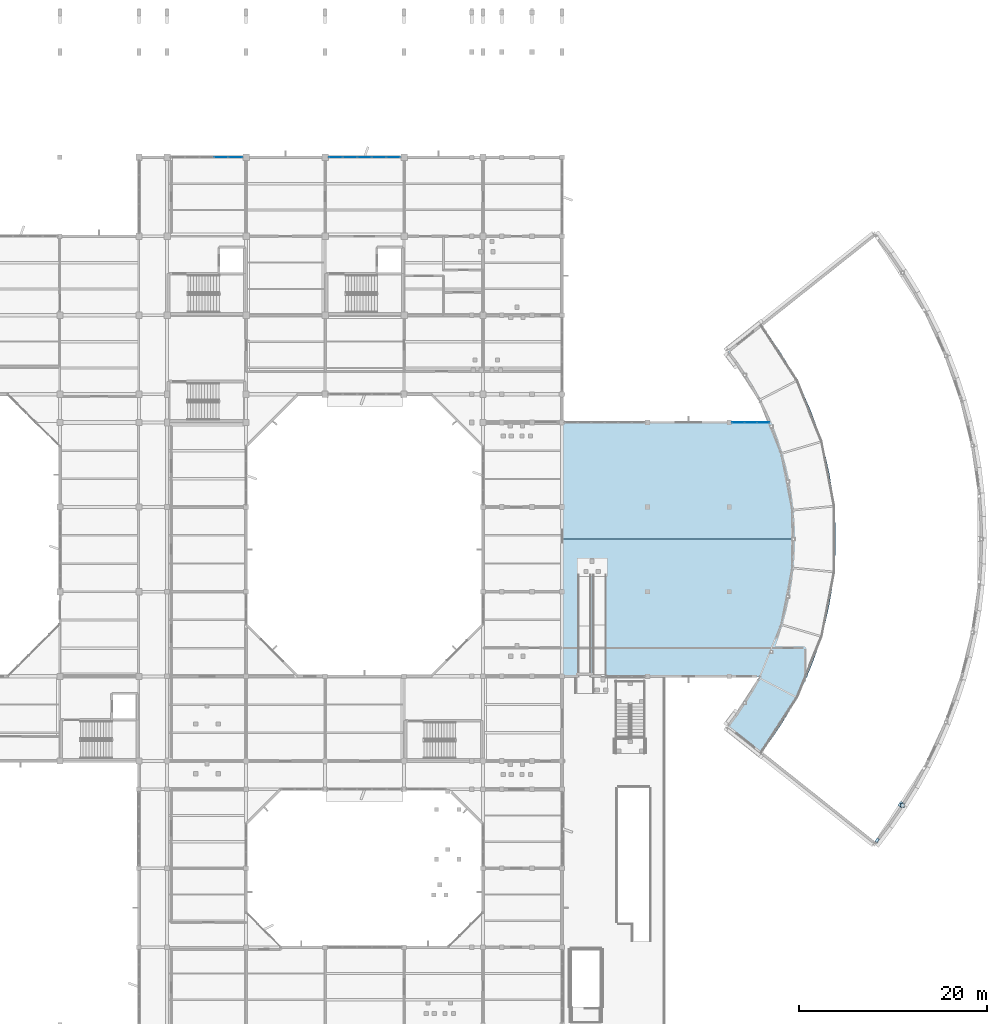
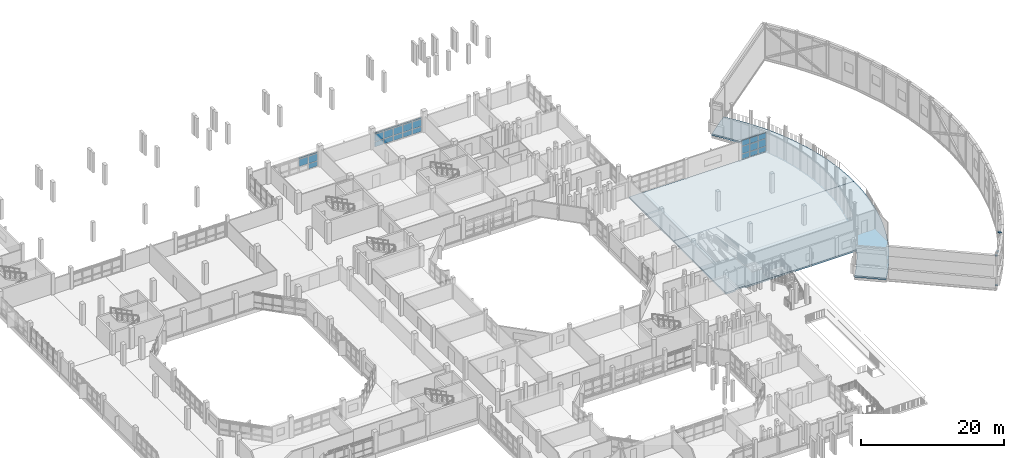
# One storey, part 63 of 104: 33 plates, 2 slabs, 3 elements without a shape of their own.
"""IFC4 building model written with IfcOpenShell, lengths in metres."""

from ifc_helpers import new_model, si_unit, direction, frame, origin, origin_2d, place, context, subcontext, project, spatial, polyline, rectangle, outline, extrude, material, layer, layer_set, type_object, element, aggregate, save


model = new_model("IFC4")

# Units and contexts
model_context = context("Model", 3, precision=1e-05, world=origin(), true_north=direction((0.0, 1.0)))
body_context = subcontext(model_context, "Body", "Model", "MODEL_VIEW")
ifc_project = project(units=[si_unit("LENGTHUNIT", "METRE"), si_unit("AREAUNIT", "SQUARE_METRE"), si_unit("VOLUMEUNIT", "CUBIC_METRE"), si_unit("PLANEANGLEUNIT", "RADIAN"), si_unit("MASSUNIT", "GRAM", prefix="KILO")], contexts=[model_context])

# Site, building, storey
site_placement = place(None, origin())
site = spatial("IfcSite", under=ifc_project, at=site_placement, CompositionType="ELEMENT")
building_placement = place(site_placement, origin())
building = spatial("IfcBuilding", under=site, at=building_placement, Name="Vanh Quang Courtyard School", CompositionType="ELEMENT")
storey_placement = place(building_placement, frame((0.0, 0.0, 4.199951171875)))
storey = spatial("IfcBuildingStorey", under=building, at=storey_placement, Name="L01", CompositionType="ELEMENT", Elevation=4.199951171875)

# Curtain wall, plates
ifc_material_1 = material(Name="Thermally broken aluminium unitised curtain wall", Category="aluminium")
curtain_wall_type_1 = type_object("IfcCurtainWallType", Name="CW-SYS-21", PredefinedType="NOTDEFINED", material=ifc_material_1)
curtain_wall_1_placement = place(storey_placement, origin())
curtain_wall_1 = element("IfcCurtainWall", 1, at=curtain_wall_1_placement, inside=storey, type_object=curtain_wall_type_1, Name="Curtain Wall CW-21 (L01)", PredefinedType="NOTDEFINED")
ifc_material_2 = material(Name="Low-E laminated double glazing", Category="glass")
ifc_layer_1 = layer(ifc_material_2, 0.028076171875)
ifc_layer_set_1 = layer_set([ifc_layer_1], Name="Low-E laminated double glazing")
plate_type_1 = type_object("IfcPlateType", Name="CW-PNL-28", PredefinedType="CURTAIN_PANEL", material=ifc_layer_set_1)
plate_1_placement = place(storey_placement, frame((83.13671875, 96.60009765625, 0.985107421875), z_axis=(0.0, 0.0, 1.0), x_axis=(1.0, 0.0, 0.0)))
plate_1 = element("IfcPlate", 2, at=plate_1_placement, type_object=plate_type_1, Name="CW-21 panel 4.2", PredefinedType="CURTAIN_PANEL", context=body_context, shape_type="SweptSolid", body=[
    extrude(rectangle(XDim=1.466796875, YDim=0.028076171875, at=origin_2d()), origin(), (0.0, 0.0, 1.0), 1.22998046875),
])
plate_2_placement = place(storey_placement, frame((83.13671875, 96.60009765625, 2.28515625), z_axis=(0.0, 0.0, 1.0), x_axis=(1.0, 0.0, 0.0)))
plate_2 = element("IfcPlate", 3, at=plate_2_placement, type_object=plate_type_1, Name="CW-21 panel 4.3", PredefinedType="CURTAIN_PANEL", context=body_context, shape_type="SweptSolid", body=[
    extrude(rectangle(XDim=1.466796875, YDim=0.028076171875, at=origin_2d()), origin(), (0.0, 0.0, 1.0), 0.215087890625),
])
plate_3_placement = place(storey_placement, frame((84.656005859375, 96.60009765625, 0.06982421875), z_axis=(0.0, 0.0, 1.0), x_axis=(1.0, 0.0, 0.0)))
plate_3 = element("IfcPlate", 4, at=plate_3_placement, type_object=plate_type_1, Name="CW-21 panel 5.1", PredefinedType="CURTAIN_PANEL", context=body_context, shape_type="SweptSolid", body=[
    extrude(rectangle(XDim=1.431884765625, YDim=0.028076171875, at=origin_2d()), origin(), (0.0, 0.0, 1.0), 0.844970703125),
])
plate_4_placement = place(storey_placement, frame((84.656005859375, 96.60009765625, 0.985107421875), z_axis=(0.0, 0.0, 1.0), x_axis=(1.0, 0.0, 0.0)))
plate_4 = element("IfcPlate", 5, at=plate_4_placement, type_object=plate_type_1, Name="CW-21 panel 5.2", PredefinedType="CURTAIN_PANEL", context=body_context, shape_type="SweptSolid", body=[
    extrude(rectangle(XDim=1.431884765625, YDim=0.028076171875, at=origin_2d()), origin(), (0.0, 0.0, 1.0), 1.22998046875),
])
plate_5_placement = place(storey_placement, frame((84.656005859375, 96.60009765625, 2.28515625), z_axis=(0.0, 0.0, 1.0), x_axis=(1.0, 0.0, 0.0)))
plate_5 = element("IfcPlate", 6, at=plate_5_placement, type_object=plate_type_1, Name="CW-21 panel 5.3", PredefinedType="CURTAIN_PANEL", context=body_context, shape_type="SweptSolid", body=[
    extrude(rectangle(XDim=1.431884765625, YDim=0.028076171875, at=origin_2d()), origin(), (0.0, 0.0, 1.0), 0.215087890625),
])
aggregate(curtain_wall_1, [plate_1, plate_2, plate_3, plate_4, plate_5])

curtain_wall_2_placement = place(storey_placement, origin())
curtain_wall_2 = element("IfcCurtainWall", 7, at=curtain_wall_2_placement, inside=storey, type_object=curtain_wall_type_1, Name="Curtain Wall CW-21 (L01)", PredefinedType="NOTDEFINED")
ifc_layer_2 = layer(ifc_material_2, 0.031982421875)
ifc_layer_set_2 = layer_set([ifc_layer_2], Name="Low-E laminated double glazing")
plate_type_2 = type_object("IfcPlateType", Name="CW-PNL-32", PredefinedType="CURTAIN_PANEL", material=ifc_layer_set_2)
plate_6_placement = place(storey_placement, frame((95.346435546875, 96.60009765625, 0.080078125), z_axis=(0.0, 0.0, 1.0), x_axis=(1.0, 0.0, 0.0)))
plate_6 = element("IfcPlate", 8, at=plate_6_placement, type_object=plate_type_2, Name="CW-21 panel 1.1", PredefinedType="CURTAIN_PANEL", context=body_context, shape_type="SweptSolid", body=[
    extrude(rectangle(XDim=1.416748046875, YDim=0.031982421875, at=origin_2d()), origin(), (0.0, 0.0, 1.0), 0.830078125),
])
plate_7_placement = place(storey_placement, frame((95.346435546875, 96.60009765625, 0.990234375), z_axis=(0.0, 0.0, 1.0), x_axis=(1.0, 0.0, 0.0)))
plate_7 = element("IfcPlate", 9, at=plate_7_placement, type_object=plate_type_2, Name="CW-21 panel 1.2", PredefinedType="CURTAIN_PANEL", context=body_context, shape_type="SweptSolid", body=[
    extrude(rectangle(XDim=1.416748046875, YDim=0.031982421875, at=origin_2d()), origin(), (0.0, 0.0, 1.0), 1.219970703125),
])
plate_8_placement = place(storey_placement, frame((95.346435546875, 96.60009765625, 2.2900390625), z_axis=(0.0, 0.0, 1.0), x_axis=(1.0, 0.0, 0.0)))
plate_8 = element("IfcPlate", 10, at=plate_8_placement, type_object=plate_type_2, Name="CW-21 panel 1.3", PredefinedType="CURTAIN_PANEL", context=body_context, shape_type="SweptSolid", body=[
    extrude(rectangle(XDim=1.416748046875, YDim=0.031982421875, at=origin_2d()), origin(), (0.0, 0.0, 1.0), 0.199951171875),
])
plate_9_placement = place(storey_placement, frame((96.86328125, 96.60009765625, 0.080078125), z_axis=(0.0, 0.0, 1.0), x_axis=(1.0, 0.0, 0.0)))
plate_9 = element("IfcPlate", 11, at=plate_9_placement, type_object=plate_type_2, Name="CW-21 panel 2.1", PredefinedType="CURTAIN_PANEL", context=body_context, shape_type="SweptSolid", body=[
    extrude(rectangle(XDim=1.456787109375, YDim=0.031982421875, at=origin_2d()), origin(), (0.0, 0.0, 1.0), 0.830078125),
])
plate_10_placement = place(storey_placement, frame((96.86328125, 96.60009765625, 0.990234375), z_axis=(0.0, 0.0, 1.0), x_axis=(1.0, 0.0, 0.0)))
plate_10 = element("IfcPlate", 12, at=plate_10_placement, type_object=plate_type_2, Name="CW-21 panel 2.2", PredefinedType="CURTAIN_PANEL", context=body_context, shape_type="SweptSolid", body=[
    extrude(rectangle(XDim=1.456787109375, YDim=0.031982421875, at=origin_2d()), origin(), (0.0, 0.0, 1.0), 1.219970703125),
])
plate_11_placement = place(storey_placement, frame((96.86328125, 96.60009765625, 2.2900390625), z_axis=(0.0, 0.0, 1.0), x_axis=(1.0, 0.0, 0.0)))
plate_11 = element("IfcPlate", 13, at=plate_11_placement, type_object=plate_type_2, Name="CW-21 panel 2.3", PredefinedType="CURTAIN_PANEL", context=body_context, shape_type="SweptSolid", body=[
    extrude(rectangle(XDim=1.456787109375, YDim=0.031982421875, at=origin_2d()), origin(), (0.0, 0.0, 1.0), 0.199951171875),
])
plate_12_placement = place(storey_placement, frame((98.39990234375, 96.60009765625, 0.080078125), z_axis=(0.0, 0.0, 1.0), x_axis=(1.0, 0.0, 0.0)))
plate_12 = element("IfcPlate", 14, at=plate_12_placement, type_object=plate_type_2, Name="CW-21 panel 3.1", PredefinedType="CURTAIN_PANEL", context=body_context, shape_type="SweptSolid", body=[
    extrude(rectangle(XDim=1.456787109375, YDim=0.031982421875, at=origin_2d()), origin(), (0.0, 0.0, 1.0), 0.830078125),
])
plate_13_placement = place(storey_placement, frame((98.39990234375, 96.60009765625, 0.990234375), z_axis=(0.0, 0.0, 1.0), x_axis=(1.0, 0.0, 0.0)))
plate_13 = element("IfcPlate", 15, at=plate_13_placement, type_object=plate_type_2, Name="CW-21 panel 3.2", PredefinedType="CURTAIN_PANEL", context=body_context, shape_type="SweptSolid", body=[
    extrude(rectangle(XDim=1.456787109375, YDim=0.031982421875, at=origin_2d()), origin(), (0.0, 0.0, 1.0), 1.219970703125),
])
plate_14_placement = place(storey_placement, frame((98.39990234375, 96.60009765625, 2.2900390625), z_axis=(0.0, 0.0, 1.0), x_axis=(1.0, 0.0, 0.0)))
plate_14 = element("IfcPlate", 16, at=plate_14_placement, type_object=plate_type_2, Name="CW-21 panel 3.3", PredefinedType="CURTAIN_PANEL", context=body_context, shape_type="SweptSolid", body=[
    extrude(rectangle(XDim=1.456787109375, YDim=0.031982421875, at=origin_2d()), origin(), (0.0, 0.0, 1.0), 0.199951171875),
])
plate_15_placement = place(storey_placement, frame((99.936767578125, 96.60009765625, 0.080078125), z_axis=(0.0, 0.0, 1.0), x_axis=(1.0, 0.0, 0.0)))
plate_15 = element("IfcPlate", 17, at=plate_15_placement, type_object=plate_type_2, Name="CW-21 panel 4.1", PredefinedType="CURTAIN_PANEL", context=body_context, shape_type="SweptSolid", body=[
    extrude(rectangle(XDim=1.456787109375, YDim=0.031982421875, at=origin_2d()), origin(), (0.0, 0.0, 1.0), 0.830078125),
])
plate_16_placement = place(storey_placement, frame((99.936767578125, 96.60009765625, 0.990234375), z_axis=(0.0, 0.0, 1.0), x_axis=(1.0, 0.0, 0.0)))
plate_16 = element("IfcPlate", 18, at=plate_16_placement, type_object=plate_type_2, Name="CW-21 panel 4.2", PredefinedType="CURTAIN_PANEL", context=body_context, shape_type="SweptSolid", body=[
    extrude(rectangle(XDim=1.456787109375, YDim=0.031982421875, at=origin_2d()), origin(), (0.0, 0.0, 1.0), 1.219970703125),
])
plate_17_placement = place(storey_placement, frame((99.936767578125, 96.60009765625, 2.2900390625), z_axis=(0.0, 0.0, 1.0), x_axis=(1.0, 0.0, 0.0)))
plate_17 = element("IfcPlate", 19, at=plate_17_placement, type_object=plate_type_2, Name="CW-21 panel 4.3", PredefinedType="CURTAIN_PANEL", context=body_context, shape_type="SweptSolid", body=[
    extrude(rectangle(XDim=1.456787109375, YDim=0.031982421875, at=origin_2d()), origin(), (0.0, 0.0, 1.0), 0.199951171875),
])
plate_18_placement = place(storey_placement, frame((101.45361328125, 96.60009765625, 0.080078125), z_axis=(0.0, 0.0, 1.0), x_axis=(1.0, 0.0, 0.0)))
plate_18 = element("IfcPlate", 20, at=plate_18_placement, type_object=plate_type_2, Name="CW-21 panel 5.1", PredefinedType="CURTAIN_PANEL", context=body_context, shape_type="SweptSolid", body=[
    extrude(rectangle(XDim=1.416748046875, YDim=0.031982421875, at=origin_2d()), origin(), (0.0, 0.0, 1.0), 0.830078125),
])
plate_19_placement = place(storey_placement, frame((101.45361328125, 96.60009765625, 0.990234375), z_axis=(0.0, 0.0, 1.0), x_axis=(1.0, 0.0, 0.0)))
plate_19 = element("IfcPlate", 21, at=plate_19_placement, type_object=plate_type_2, Name="CW-21 panel 5.2", PredefinedType="CURTAIN_PANEL", context=body_context, shape_type="SweptSolid", body=[
    extrude(rectangle(XDim=1.416748046875, YDim=0.031982421875, at=origin_2d()), origin(), (0.0, 0.0, 1.0), 1.219970703125),
])
plate_20_placement = place(storey_placement, frame((101.45361328125, 96.60009765625, 2.2900390625), z_axis=(0.0, 0.0, 1.0), x_axis=(1.0, 0.0, 0.0)))
plate_20 = element("IfcPlate", 22, at=plate_20_placement, type_object=plate_type_2, Name="CW-21 panel 5.3", PredefinedType="CURTAIN_PANEL", context=body_context, shape_type="SweptSolid", body=[
    extrude(rectangle(XDim=1.416748046875, YDim=0.031982421875, at=origin_2d()), origin(), (0.0, 0.0, 1.0), 0.199951171875),
])
aggregate(curtain_wall_2, [plate_6, plate_7, plate_8, plate_9, plate_10, plate_11, plate_12, plate_13, plate_14, plate_15, plate_16, plate_17, plate_18, plate_19, plate_20])

curtain_wall_type_2 = type_object("IfcCurtainWallType", Name="CW-SYS-26", PredefinedType="NOTDEFINED", material=ifc_material_1)
curtain_wall_3_placement = place(storey_placement, origin())
curtain_wall_3 = element("IfcCurtainWall", 23, at=curtain_wall_3_placement, inside=storey, type_object=curtain_wall_type_2, Name="Curtain Wall CW-26 (L01)", PredefinedType="NOTDEFINED")
plate_21_placement = place(storey_placement, frame((138.145263671875, 68.39990234375, 0.06005859375), z_axis=(0.0, 0.0, 1.0), x_axis=(1.0, 0.0, 0.0)))
plate_21 = element("IfcPlate", 24, at=plate_21_placement, type_object=plate_type_2, Name="CW-26 panel 1.1", PredefinedType="CURTAIN_PANEL", context=body_context, shape_type="SweptSolid", body=[
    extrude(rectangle(XDim=1.254638671875, YDim=0.031982421875, at=origin_2d()), origin(), (0.0, 0.0, 1.0), 0.860107421875),
])
plate_22_placement = place(storey_placement, frame((138.145263671875, 68.39990234375, 0.97998046875), z_axis=(0.0, 0.0, 1.0), x_axis=(1.0, 0.0, 0.0)))
plate_22 = element("IfcPlate", 25, at=plate_22_placement, type_object=plate_type_2, Name="CW-26 panel 1.2", PredefinedType="CURTAIN_PANEL", context=body_context, shape_type="SweptSolid", body=[
    extrude(rectangle(XDim=1.254638671875, YDim=0.031982421875, at=origin_2d()), origin(), (0.0, 0.0, 1.0), 1.239990234375),
])
plate_23_placement = place(storey_placement, frame((138.145263671875, 68.39990234375, 2.280029296875), z_axis=(0.0, 0.0, 1.0), x_axis=(1.0, 0.0, 0.0)))
plate_23 = element("IfcPlate", 26, at=plate_23_placement, type_object=plate_type_2, Name="CW-26 panel 1.3", PredefinedType="CURTAIN_PANEL", context=body_context, shape_type="SweptSolid", body=[
    extrude(rectangle(XDim=1.254638671875, YDim=0.031982421875, at=origin_2d()), origin(), (0.0, 0.0, 1.0), 0.97998046875),
])
plate_24_placement = place(storey_placement, frame((139.474853515625, 68.39990234375, 0.06005859375), z_axis=(0.0, 0.0, 1.0), x_axis=(1.0, 0.0, 0.0)))
plate_24 = element("IfcPlate", 27, at=plate_24_placement, type_object=plate_type_2, Name="CW-26 panel 2.1", PredefinedType="CURTAIN_PANEL", context=body_context, shape_type="SweptSolid", body=[
    extrude(rectangle(XDim=1.284423828125, YDim=0.031982421875, at=origin_2d()), origin(), (0.0, 0.0, 1.0), 0.860107421875),
])
plate_25_placement = place(storey_placement, frame((139.474853515625, 68.39990234375, 0.97998046875), z_axis=(0.0, 0.0, 1.0), x_axis=(1.0, 0.0, 0.0)))
plate_25 = element("IfcPlate", 28, at=plate_25_placement, type_object=plate_type_2, Name="CW-26 panel 2.2", PredefinedType="CURTAIN_PANEL", context=body_context, shape_type="SweptSolid", body=[
    extrude(rectangle(XDim=1.284423828125, YDim=0.031982421875, at=origin_2d()), origin(), (0.0, 0.0, 1.0), 1.239990234375),
])
plate_26_placement = place(storey_placement, frame((139.474853515625, 68.39990234375, 2.280029296875), z_axis=(0.0, 0.0, 1.0), x_axis=(1.0, 0.0, 0.0)))
plate_26 = element("IfcPlate", 29, at=plate_26_placement, type_object=plate_type_2, Name="CW-26 panel 2.3", PredefinedType="CURTAIN_PANEL", context=body_context, shape_type="SweptSolid", body=[
    extrude(rectangle(XDim=1.284423828125, YDim=0.031982421875, at=origin_2d()), origin(), (0.0, 0.0, 1.0), 0.97998046875),
])
plate_27_placement = place(storey_placement, frame((140.804443359375, 68.39990234375, 0.06005859375), z_axis=(0.0, 0.0, 1.0), x_axis=(1.0, 0.0, 0.0)))
plate_27 = element("IfcPlate", 30, at=plate_27_placement, type_object=plate_type_2, Name="CW-26 panel 3.1", PredefinedType="CURTAIN_PANEL", context=body_context, shape_type="SweptSolid", body=[
    extrude(rectangle(XDim=1.254638671875, YDim=0.031982421875, at=origin_2d()), origin(), (0.0, 0.0, 1.0), 0.860107421875),
])
plate_28_placement = place(storey_placement, frame((140.804443359375, 68.39990234375, 0.97998046875), z_axis=(0.0, 0.0, 1.0), x_axis=(1.0, 0.0, 0.0)))
plate_28 = element("IfcPlate", 31, at=plate_28_placement, type_object=plate_type_2, Name="CW-26 panel 3.2", PredefinedType="CURTAIN_PANEL", context=body_context, shape_type="SweptSolid", body=[
    extrude(rectangle(XDim=1.254638671875, YDim=0.031982421875, at=origin_2d()), origin(), (0.0, 0.0, 1.0), 1.239990234375),
])
plate_29_placement = place(storey_placement, frame((140.804443359375, 68.39990234375, 2.280029296875), z_axis=(0.0, 0.0, 1.0), x_axis=(1.0, 0.0, 0.0)))
plate_29 = element("IfcPlate", 32, at=plate_29_placement, type_object=plate_type_2, Name="CW-26 panel 3.3", PredefinedType="CURTAIN_PANEL", context=body_context, shape_type="SweptSolid", body=[
    extrude(rectangle(XDim=1.254638671875, YDim=0.031982421875, at=origin_2d()), origin(), (0.0, 0.0, 1.0), 0.97998046875),
])
aggregate(curtain_wall_3, [plate_21, plate_22, plate_23, plate_24, plate_25, plate_26, plate_27, plate_28, plate_29])

# Plates
ifc_material_3 = material(Name="Structural steel EN 10025-2 S355J2", Category="steel")
ifc_layer_3 = layer(ifc_material_3, 0.02392578125)
ifc_layer_set_3 = layer_set([ifc_layer_3], Name="Structural steel EN 10025-2 S355J2")
plate_type_3 = type_object("IfcPlateType", Name="PLT-CAP-420x420x24", PredefinedType="SHEET", material=ifc_layer_set_3)
plate_30_placement = place(storey_placement, frame((155.61083984375, 27.6787109375, 6.0), z_axis=(0.0, 0.0, 1.0), x_axis=(1.0, 0.0, 0.0)))
element("IfcPlate", 33, at=plate_30_placement, inside=storey, type_object=plate_type_3, Name="Plate PB-04 (L01)", PredefinedType="SHEET", context=body_context, shape_type="SweptSolid", body=[
    extrude(rectangle(XDim=0.419921875, YDim=0.419921875, at=origin_2d()), origin(), (0.0, 0.0, 1.0), 0.02392578125),
])
ifc_layer_4 = layer(ifc_material_3, 0.01611328125)
ifc_layer_set_4 = layer_set([ifc_layer_4], Name="Structural steel EN 10025-2 S355J2")
plate_type_4 = type_object("IfcPlateType", Name="PLT-GUS-450x300x16", PredefinedType="USERDEFINED", material=ifc_layer_set_4)
for number, where, z_axis, x_axis, name in (
    (34, (152.912841796875, 23.963623046875, 0.2119140625), (0.0, 0.0, 1.0), (0.544639035015, 0.838670567945, 0.0), "Plate PG-02 (L01)"),
    (35, (152.912841796875, 23.963623046875, 5.27197265625), (0.0, 0.0, 1.0), (0.544639035015, 0.838670567945, 0.0), "Plate PG-02 (L01)"),
):
    element("IfcPlate", number, at=place(storey_placement, frame(where, z_axis=z_axis, x_axis=x_axis)), inside=storey, type_object=plate_type_4, Name=name, ObjectType="GUSSET_PLATE", PredefinedType="USERDEFINED", context=body_context, shape_type="SweptSolid", body=[
        extrude(rectangle(XDim=0.449951171875, YDim=0.300048828125, at=origin_2d()), origin(), (0.0, 0.0, 1.0), 0.01611328125),
    ])
ifc_layer_5 = layer(ifc_material_3, 0.02001953125)
ifc_layer_set_5 = layer_set([ifc_layer_5], Name="Structural steel EN 10025-2 S355J2")
plate_type_5 = type_object("IfcPlateType", Name="PLT-GUS-520x340x20", PredefinedType="USERDEFINED", material=ifc_layer_set_5)
plate_31_placement = place(storey_placement, frame((155.41015625, 27.80908203125, 2.739990234375), z_axis=(0.0, 0.0, 1.0), x_axis=(0.544639035015, 0.838670567945, 0.0)))
element("IfcPlate", 36, at=plate_31_placement, inside=storey, type_object=plate_type_5, Name="Plate PG-01 (L01)", ObjectType="GUSSET_PLATE", PredefinedType="USERDEFINED", context=body_context, shape_type="SweptSolid", body=[
    extrude(rectangle(XDim=0.52001953125, YDim=0.340087890625, at=origin_2d()), origin(), (0.0, 0.0, 1.0), 0.02001953125),
])

# Slabs
ifc_material_4 = material(Name="Concrete C30/37", Category="concrete")
ifc_layer_6 = layer(ifc_material_4, 0.280029296875)
ifc_layer_set_6 = layer_set([ifc_layer_6], Name="Concrete C30/37")
slab_type = type_object("IfcSlabType", Name="SLB-FLR-280", PredefinedType="FLOOR", material=ifc_layer_set_6)
slab_1_placement = place(storey_placement, frame((0.0, 0.0, -0.280029296875)))
element("IfcSlab", 37, at=slab_1_placement, inside=storey, type_object=slab_type, Name="Slab SF-02 (L01)", PredefinedType="FLOOR", context=body_context, shape_type="SweptSolid", body=[
    extrude(outline(polyline([(145.147216796875, 40.718994140625), (145.441650390625, 41.39990234375), (145.5, 41.39990234375), (145.5, 41.53515625), (145.84228515625, 42.326904296875), (146.459228515625, 43.96630859375), (146.996826171875, 45.63330078125), (147.4541015625, 47.324462890625), (147.829345703125, 49.035400390625), (148.122314453125, 50.762451171875), (148.33203125, 52.501708984375), (148.4580078125, 54.248779296875), (148.5, 56.0), (119.39990234375, 56.0), (119.39990234375, 41.39990234375), (120.985107421875, 41.39990234375), (120.985107421875, 41.6015625), (120.989501953125, 41.610595703125), (120.99853515625, 41.614990234375), (122.580078125, 41.614990234375), (122.590576171875, 41.610595703125), (122.594970703125, 41.6015625), (122.594970703125, 41.39990234375), (140.470703125, 41.39990234375), (140.38427734375, 41.22412109375), (139.642578125, 39.879150390625), (138.83740234375, 38.571533203125), (137.970458984375, 37.303955078125), (137.04345703125, 36.07958984375), (140.565185546875, 33.2783203125), (141.62255859375, 34.6748046875), (142.611572265625, 36.12060546875), (143.530029296875, 37.6123046875), (144.3759765625, 39.146240234375), (145.147216796875, 40.718994140625)])), origin(), (0.0, 0.0, 1.0), 0.280029296875),
])
slab_2_placement = place(storey_placement, frame((0.0, 0.0, -0.280029296875)))
element("IfcSlab", 38, at=slab_2_placement, inside=storey, type_object=slab_type, Name="Slab SF-02 (L01)", PredefinedType="FLOOR", context=body_context, shape_type="SweptSolid", body=[
    extrude(outline(polyline([(119.39990234375, 56.0), (148.5, 56.0), (148.4580078125, 57.751220703125), (148.33203125, 59.498291015625), (148.122314453125, 61.237548828125), (147.829345703125, 62.964599609375), (147.4541015625, 64.675537109375), (146.996826171875, 66.36669921875), (146.459228515625, 68.03369140625), (145.84228515625, 69.673095703125), (145.147216796875, 71.281005859375), (144.3759765625, 72.853759765625), (143.530029296875, 74.3876953125), (142.611572265625, 75.87939453125), (141.62255859375, 77.3251953125), (140.565185546875, 78.7216796875), (137.04345703125, 75.92041015625), (137.970458984375, 74.696044921875), (138.83740234375, 73.428466796875), (139.642578125, 72.120849609375), (140.38427734375, 70.77587890625), (141.060546875, 69.397216796875), (141.49169921875, 68.39990234375), (119.39990234375, 68.39990234375), (119.39990234375, 56.0)])), origin(), (0.0, 0.0, 1.0), 0.280029296875),
])

save(model, "model.ifc")
